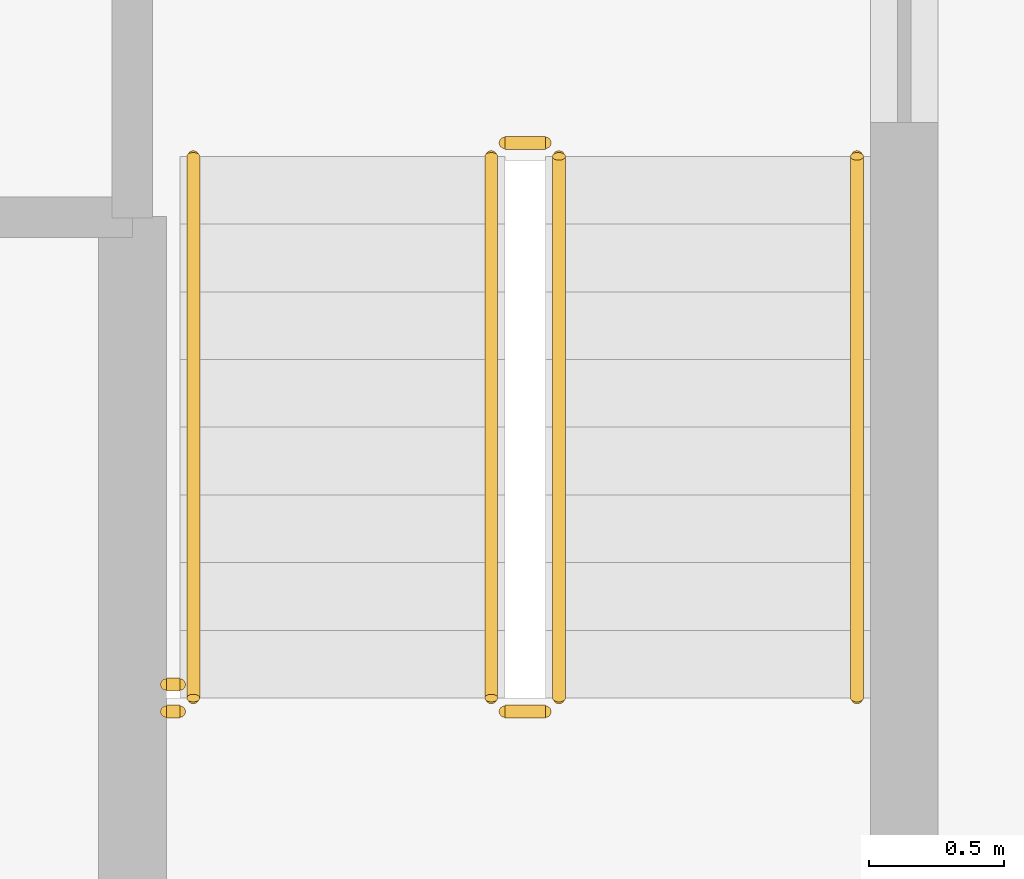
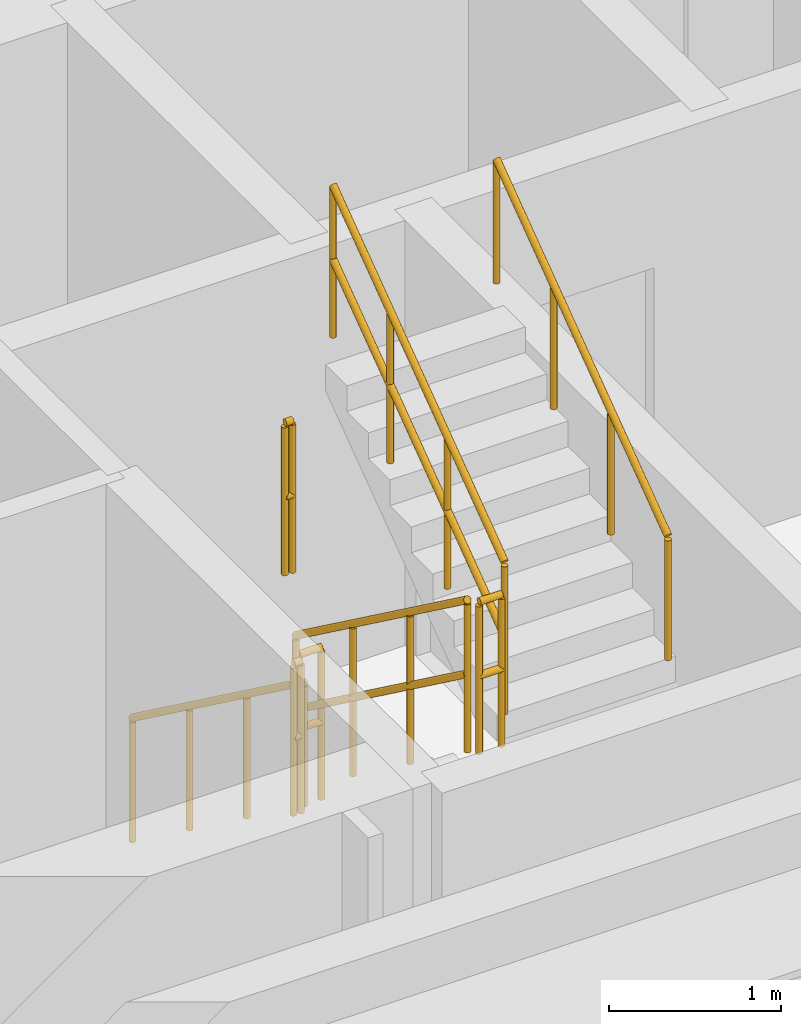
# One storey, part 13 of 15: 8 railings.
"""IFC4 building model written with IfcOpenShell, lengths in metres."""

import ifcopenshell
import ifcopenshell.guid

model = None  # the IFC model being written
_history = None  # IfcOwnerHistory: only IFC2X3 demands one
_inside = {}  # id of a spatial element -> (the spatial element, [elements in it])
_under = {}  # id of a project, library or spatial element -> (it, [spatial elements below it])
_declared = {}  # id of a project -> (the project, [libraries it declares])
_typed = {}  # id of a type object -> (the type object, [elements of that type])
_made_of = {}  # id of a material, layer set ... -> (it, [elements and type objects made of it])


def new_model(schema):
    """Start an empty IFC model of exactly this schema.

    Asked for "IFC4X3", IfcOpenShell would pick the latest addendum, in which some entities
    have other attributes; the version numbers below select the first issue.
    IFC2X3 requires an IfcOwnerHistory on every rooted entity: one is made here for all.
    """
    global model, _history
    if schema == "IFC4X3":
        model = ifcopenshell.file(schema_version=(4, 3, 0, 0))
    else:
        model = ifcopenshell.file(schema=schema)
    _inside.clear()
    _under.clear()
    _declared.clear()
    _typed.clear()
    _made_of.clear()
    _history = None
    if model.schema == "IFC2X3":
        org = make("IfcOrganization", Name="unknown")
        user = make(
            "IfcPersonAndOrganization",
            ThePerson=make("IfcPerson", FamilyName="unknown"),
            TheOrganization=org,
        )
        app = make(
            "IfcApplication",
            ApplicationDeveloper=org,
            Version="unknown",
            ApplicationFullName="unknown",
            ApplicationIdentifier="unknown",
        )
        _history = make(
            "IfcOwnerHistory",
            OwningUser=user,
            OwningApplication=app,
            ChangeAction="ADDED",
            CreationDate=0,
        )
    return model


def make(cls, **values):
    """One entity of the class cls with the attributes given. An attribute that is None is left unset."""
    return model.create_entity(
        cls, **{name: value for name, value in values.items() if value is not None}
    )


def rooted(cls, **values):
    """An entity with a GlobalId (a new one), such as an element, a storey or a relation."""
    return make(cls, GlobalId=ifcopenshell.guid.new(), OwnerHistory=_history, **values)


def si_unit(unit_type, name, prefix=None):
    """IfcSIUnit, for example si_unit("LENGTHUNIT", "METRE", prefix="MILLI")."""
    return make("IfcSIUnit", UnitType=unit_type, Prefix=prefix, Name=name)


def assignment(units):
    """IfcUnitAssignment: the units of a project."""
    return None if units is None else make("IfcUnitAssignment", Units=units)


def point(xyz):
    """IfcCartesianPoint."""
    return None if xyz is None else make("IfcCartesianPoint", Coordinates=xyz)


def direction(xyz):
    """IfcDirection."""
    return None if xyz is None else make("IfcDirection", DirectionRatios=xyz)


def frame(location, z_axis=None, x_axis=None):
    """IfcAxis2Placement3D, a coordinate frame: its origin and axes. An axis left out is left unset."""
    return make(
        "IfcAxis2Placement3D",
        Location=point(location),
        Axis=direction(z_axis),
        RefDirection=direction(x_axis),
    )


def frame_2d(location, x_axis=None):
    """IfcAxis2Placement2D, a coordinate frame in the plane: its origin and x axis."""
    return make(
        "IfcAxis2Placement2D", Location=point(location), RefDirection=direction(x_axis)
    )


def origin():
    """The frame at (0, 0, 0) with its axes left unset."""
    return frame((0.0, 0.0, 0.0))


def origin_2d():
    """The frame at (0, 0) in the plane with its x axis left unset."""
    return frame_2d((0.0, 0.0))


def place(relative_to, where):
    """IfcLocalPlacement: puts the frame where relative to a parent placement (None: the world)."""
    return make(
        "IfcLocalPlacement", PlacementRelTo=relative_to, RelativePlacement=where
    )


def context(
    kind, dimensions, precision=None, world=None, true_north=None, identifier=None
):
    """IfcGeometricRepresentationContext, for example the 3D "Model" context."""
    return make(
        "IfcGeometricRepresentationContext",
        ContextIdentifier=identifier,
        ContextType=kind,
        CoordinateSpaceDimension=dimensions,
        Precision=precision,
        WorldCoordinateSystem=world,
        TrueNorth=true_north,
    )


def subcontext(parent, identifier, kind, view, scale=None):
    """IfcGeometricRepresentationSubContext, for example "Body" below "Model"."""
    return make(
        "IfcGeometricRepresentationSubContext",
        ContextIdentifier=identifier,
        ContextType=kind,
        ParentContext=parent,
        TargetScale=scale,
        TargetView=view,
    )


def project(units=None, contexts=None):
    """IfcProject with its units and contexts."""
    return rooted(
        "IfcProject",
        Name="project",
        RepresentationContexts=contexts,
        UnitsInContext=assignment(units),
    )


def spatial(cls, under=None, at=None, **own):
    """A site, building, storey or space (cls), placed at a placement, below another one or the project."""
    s = rooted(cls, ObjectPlacement=at, **own)
    if under is not None:
        _under.setdefault(under.id(), (under, []))[1].append(s)
    return s


def profile(cls, at=None, kind="AREA", **sizes):
    """A parametric profile (cls). Its sizes go by their IFC names, for example OverallWidth=200.0."""
    return make(cls, ProfileType=kind, Position=at, **sizes)


def circle(**sizes):
    """IfcCircleProfileDef."""
    return profile("IfcCircleProfileDef", **sizes)


def extrude(swept, where, along, depth):
    """IfcExtrudedAreaSolid: the profile swept, set in the frame where, extruded along a direction by depth."""
    return make(
        "IfcExtrudedAreaSolid",
        SweptArea=swept,
        Position=where,
        ExtrudedDirection=direction(along),
        Depth=depth,
    )


def shape(context_of_items, identifier, shape_type, items):
    """IfcShapeRepresentation: the items that make up one representation, for example the "Body"."""
    return make(
        "IfcShapeRepresentation",
        ContextOfItems=context_of_items,
        RepresentationIdentifier=identifier,
        RepresentationType=shape_type,
        Items=items,
    )


def material(Name=None, Category=None):
    """IfcMaterial."""
    return make("IfcMaterial", Name=Name, Category=Category)


def made_of(thing, what):
    """Note that an element or type object is made of a material, layer set ...; save() writes the relation."""
    if what is not None:
        _made_of.setdefault(what.id(), (what, []))[1].append(thing)
    return thing


def type_object(cls, material=None, **own):
    """A type object (cls), such as IfcWallType, which elements share."""
    return made_of(rooted(cls, **own), material)


def element(
    cls,
    number,
    at=None,
    inside=None,
    cuts=None,
    type_object=None,
    material=None,
    context=None,
    identifier="Body",
    shape_type=None,
    held_by="IfcProductDefinitionShape",
    body=None,
    shapes=None,
    **own,
):
    """One element of the class cls, such as IfcWall. Its Tag is "e" and its number.

    at: its placement. inside: the storey or other place that contains it. cuts: it is an
    opening in that element (IfcRelVoidsElement). A single representation is given by context,
    identifier, shape_type and body (its items); several are given by shapes. held_by: the class
    of the entity that holds the representations. save() writes the other relations.
    """
    e = rooted(cls, Tag="e%d" % number, ObjectPlacement=at, **own)
    if body is not None:
        shapes = [shape(context, identifier, shape_type, body)]
    if shapes is not None:
        e.Representation = make(held_by, Representations=shapes)
    if inside is not None:
        _inside.setdefault(inside.id(), (inside, []))[1].append(e)
    if cuts is not None:
        rooted(
            "IfcRelVoidsElement", RelatingBuildingElement=cuts, RelatedOpeningElement=e
        )
    if type_object is not None:
        _typed.setdefault(type_object.id(), (type_object, []))[1].append(e)
    return made_of(e, material)


def aggregate(whole, parts):
    """IfcRelAggregates: a whole, such as a stair, and the parts it consists of."""
    return rooted("IfcRelAggregates", RelatingObject=whole, RelatedObjects=parts)


def save(model, path):
    """Write the relations noted so far, then the file.

    IfcRelAggregates (storeys below a building ...), IfcRelContainedInSpatialStructure (elements
    in a storey), IfcRelDefinesByType, IfcRelAssociatesMaterial and IfcRelDeclares: one each for
    every whole, place, type object, material and project.
    """
    for whole, parts in _under.values():
        aggregate(whole, parts)
    for where, things in _inside.values():
        rooted(
            "IfcRelContainedInSpatialStructure",
            RelatedElements=things,
            RelatingStructure=where,
        )
    for kind, things in _typed.values():
        rooted("IfcRelDefinesByType", RelatedObjects=things, RelatingType=kind)
    for what, things in _made_of.values():
        rooted("IfcRelAssociatesMaterial", RelatedObjects=things, RelatingMaterial=what)
    for by, libraries in _declared.values():
        rooted("IfcRelDeclares", RelatingContext=by, RelatedDefinitions=libraries)
    model.write(path)


model = new_model("IFC4")

# Units and contexts
model_context = context("Model", 3, precision=1e-05, world=origin(), true_north=direction((0.0, 1.0)))
body_context = subcontext(model_context, "Body", "Model", "MODEL_VIEW")
ifc_project = project(units=[si_unit("LENGTHUNIT", "METRE"), si_unit("AREAUNIT", "SQUARE_METRE"), si_unit("VOLUMEUNIT", "CUBIC_METRE"), si_unit("PLANEANGLEUNIT", "RADIAN"), si_unit("MASSUNIT", "GRAM", prefix="KILO")], contexts=[model_context])

# Site, building, storey
site_placement = place(None, origin())
site = spatial("IfcSite", under=ifc_project, at=site_placement, CompositionType="ELEMENT")
building_placement = place(site_placement, origin())
building = spatial("IfcBuilding", under=site, at=building_placement, Name="Nakaniwa Court", CompositionType="ELEMENT")
storey_placement = place(building_placement, frame((0.0, 0.0, 183.300048828125)))
storey = spatial("IfcBuildingStorey", under=building, at=storey_placement, Name="L47", CompositionType="ELEMENT", Elevation=183.300048828125)

# Railings
ifc_material_1 = material(Name="Black powder coated steel guard", Category="steel")
railing_type_1 = type_object("IfcRailingType", Name="Stair guard 1100", PredefinedType="GUARDRAIL", material=ifc_material_1)
railing_1_placement = place(storey_placement, frame((81.875, 61.824951171875, 0.183349609375)))
element("IfcRailing", 1, at=railing_1_placement, inside=storey, type_object=railing_type_1, Name="L47 ST4 stair guard 1", PredefinedType="GUARDRAIL", context=body_context, shape_type="SweptSolid", body=[
    extrude(circle(Radius=0.02392578125, at=origin_2d()), frame((0.0, 0.0, 1.076171875), z_axis=(0.0, -0.806426902644, 0.591333789573), x_axis=(1.0, 0.0, 0.0)), (0.0, 0.0, 1.0), 2.47998046875),
    extrude(circle(Radius=0.02392578125, at=origin_2d()), frame((0.0, 0.0, 0.550048828125), z_axis=(0.0, -0.806426902644, 0.591333789573), x_axis=(1.0, 0.0, 0.0)), (0.0, 0.0, 1.0), 2.47998046875),
    extrude(circle(Radius=0.02099609375, at=origin_2d()), origin(), (0.0, 0.0, 1.0), 1.052001953125),
    extrude(circle(Radius=0.02099609375, at=origin_2d()), frame((0.0, -0.666748046875, 0.48876953125)), (0.0, 0.0, 1.0), 1.052001953125),
    extrude(circle(Radius=0.02099609375, at=origin_2d()), frame((0.0, -1.333251953125, 0.977783203125)), (0.0, 0.0, 1.0), 1.052001953125),
    extrude(circle(Radius=0.02099609375, at=origin_2d()), frame((0.0, -2.0, 1.466552734375)), (0.0, 0.0, 1.0), 1.052001953125),
])
railing_2_placement = place(storey_placement, frame((81.925048828125, 59.77490234375, 1.64990234375)))
element("IfcRailing", 2, at=railing_2_placement, inside=storey, type_object=railing_type_1, Name="L47 ST4 stair guard 2", PredefinedType="GUARDRAIL", context=body_context, shape_type="SweptSolid", body=[
    extrude(circle(Radius=0.02392578125, at=origin_2d()), frame((0.0, 0.0, 1.076171875), z_axis=(1.0, 0.0, 0.0), x_axis=(0.0, 1.0, 0.0)), (0.0, 0.0, 1.0), 0.14990234375),
    extrude(circle(Radius=0.02392578125, at=origin_2d()), frame((0.0, 0.0, 0.550048828125), z_axis=(1.0, 0.0, 0.0), x_axis=(0.0, 1.0, 0.0)), (0.0, 0.0, 1.0), 0.14990234375),
    extrude(circle(Radius=0.02099609375, at=origin_2d()), origin(), (0.0, 0.0, 1.0), 1.052001953125),
    extrude(circle(Radius=0.02099609375, at=origin_2d()), frame((0.14990234375, 0.0, 0.0)), (0.0, 0.0, 1.0), 1.052001953125),
])
railing_3_placement = place(storey_placement, frame((82.125, 59.824951171875, 1.833251953125)))
element("IfcRailing", 3, at=railing_3_placement, inside=storey, type_object=railing_type_1, Name="L47 ST4 stair guard 3", PredefinedType="GUARDRAIL", context=body_context, shape_type="SweptSolid", body=[
    extrude(circle(Radius=0.02392578125, at=origin_2d()), frame((0.0, 0.0, 1.076171875), z_axis=(0.0, 0.806379959628, 0.591397802423), x_axis=(-1.0, 0.0, 0.0)), (0.0, 0.0, 1.0), 2.480224609375),
    extrude(circle(Radius=0.02392578125, at=origin_2d()), frame((0.0, 0.0, 0.550048828125), z_axis=(0.0, 0.806379959628, 0.591397802423), x_axis=(-1.0, 0.0, 0.0)), (0.0, 0.0, 1.0), 2.480224609375),
    extrude(circle(Radius=0.02099609375, at=origin_2d()), origin(), (0.0, 0.0, 1.0), 1.052001953125),
    extrude(circle(Radius=0.02099609375, at=origin_2d()), frame((0.0, 0.666748046875, 0.489013671875)), (0.0, 0.0, 1.0), 1.052001953125),
    extrude(circle(Radius=0.02099609375, at=origin_2d()), frame((0.0, 1.333251953125, 0.977783203125)), (0.0, 0.0, 1.0), 1.052001953125),
    extrude(circle(Radius=0.02099609375, at=origin_2d()), frame((0.0, 2.0, 1.466796875)), (0.0, 0.0, 1.0), 1.052001953125),
])
railing_4_placement = place(storey_placement, frame((81.925048828125, 61.875, 0.0)))
element("IfcRailing", 4, at=railing_4_placement, inside=storey, type_object=railing_type_1, Name="L47 ST4 stair guard 4", PredefinedType="GUARDRAIL", context=body_context, shape_type="SweptSolid", body=[
    extrude(circle(Radius=0.02392578125, at=origin_2d()), frame((0.0, 0.0, 1.076171875), z_axis=(1.0, 0.0, 0.0), x_axis=(0.0, 1.0, 0.0)), (0.0, 0.0, 1.0), 0.14990234375),
    extrude(circle(Radius=0.02392578125, at=origin_2d()), frame((0.0, 0.0, 0.550048828125), z_axis=(1.0, 0.0, 0.0), x_axis=(0.0, 1.0, 0.0)), (0.0, 0.0, 1.0), 0.14990234375),
    extrude(circle(Radius=0.02099609375, at=origin_2d()), origin(), (0.0, 0.0, 1.0), 1.052001953125),
    extrude(circle(Radius=0.02099609375, at=origin_2d()), frame((0.14990234375, 0.0, 0.0)), (0.0, 0.0, 1.0), 1.052001953125),
])
for number, where, name in (
    (5, (80.675048828125, 59.77490234375, 1.64990234375), "L47 ST4 landing side guard 1W"),
    (6, (80.675048828125, 59.875, 3.300048828125), "L47 ST4 floor edge guard 1W"),
):
    element("IfcRailing", number, at=place(storey_placement, frame(where)), inside=storey, type_object=railing_type_1, Name=name, PredefinedType="GUARDRAIL", context=body_context, shape_type="SweptSolid", body=[
        extrude(circle(Radius=0.02392578125, at=origin_2d()), frame((0.0, 0.0, 1.076171875), z_axis=(1.0, 0.0, 0.0), x_axis=(0.0, 1.0, 0.0)), (0.0, 0.0, 1.0), 0.050048828125),
        extrude(circle(Radius=0.02392578125, at=origin_2d()), frame((0.0, 0.0, 0.550048828125), z_axis=(1.0, 0.0, 0.0), x_axis=(0.0, 1.0, 0.0)), (0.0, 0.0, 1.0), 0.050048828125),
        extrude(circle(Radius=0.02099609375, at=origin_2d()), origin(), (0.0, 0.0, 1.0), 1.052001953125),
        extrude(circle(Radius=0.02099609375, at=origin_2d()), frame((0.050048828125, 0.0, 0.0)), (0.0, 0.0, 1.0), 1.052001953125),
    ])
ifc_material_2 = material(Name="Black powder coated steel handrail", Category="steel")
railing_type_2 = type_object("IfcRailingType", Name="Stair handrail 900", PredefinedType="HANDRAIL", material=ifc_material_2)
railing_5_placement = place(storey_placement, frame((80.77490234375, 61.824951171875, 0.183349609375)))
element("IfcRailing", 7, at=railing_5_placement, inside=storey, type_object=railing_type_2, Name="L47 ST4 stair handrail 1", PredefinedType="HANDRAIL", context=body_context, shape_type="SweptSolid", body=[
    extrude(circle(Radius=0.02392578125, at=origin_2d()), frame((0.0, 0.0, 0.8759765625), z_axis=(0.0, -0.806426902644, 0.591333789573), x_axis=(1.0, 0.0, 0.0)), (0.0, 0.0, 1.0), 2.47998046875),
    extrude(circle(Radius=0.02099609375, at=origin_2d()), origin(), (0.0, 0.0, 1.0), 0.851806640625),
    extrude(circle(Radius=0.02099609375, at=origin_2d()), frame((0.0, -0.666748046875, 0.48876953125)), (0.0, 0.0, 1.0), 0.851806640625),
    extrude(circle(Radius=0.02099609375, at=origin_2d()), frame((0.0, -1.333251953125, 0.977783203125)), (0.0, 0.0, 1.0), 0.851806640625),
    extrude(circle(Radius=0.02099609375, at=origin_2d()), frame((0.0, -2.0, 1.466552734375)), (0.0, 0.0, 1.0), 0.851806640625),
])
railing_6_placement = place(storey_placement, frame((83.22509765625, 59.824951171875, 1.833251953125)))
element("IfcRailing", 8, at=railing_6_placement, inside=storey, type_object=railing_type_2, Name="L47 ST4 stair handrail 2", PredefinedType="HANDRAIL", context=body_context, shape_type="SweptSolid", body=[
    extrude(circle(Radius=0.02392578125, at=origin_2d()), frame((0.0, 0.0, 0.8759765625), z_axis=(0.0, 0.806379959628, 0.591397802423), x_axis=(-1.0, 0.0, 0.0)), (0.0, 0.0, 1.0), 2.480224609375),
    extrude(circle(Radius=0.02099609375, at=origin_2d()), origin(), (0.0, 0.0, 1.0), 0.851806640625),
    extrude(circle(Radius=0.02099609375, at=origin_2d()), frame((0.0, 0.666748046875, 0.489013671875)), (0.0, 0.0, 1.0), 0.851806640625),
    extrude(circle(Radius=0.02099609375, at=origin_2d()), frame((0.0, 1.333251953125, 0.977783203125)), (0.0, 0.0, 1.0), 0.851806640625),
    extrude(circle(Radius=0.02099609375, at=origin_2d()), frame((0.0, 2.0, 1.466796875)), (0.0, 0.0, 1.0), 0.851806640625),
])

save(model, "model.ifc")
